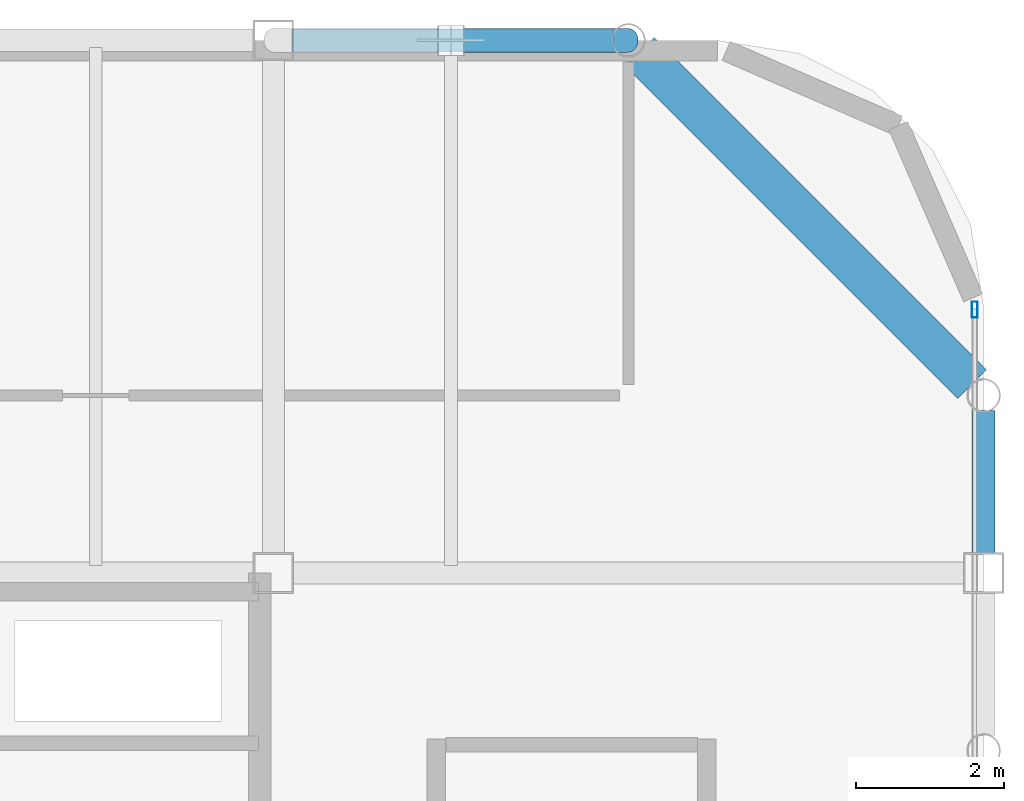
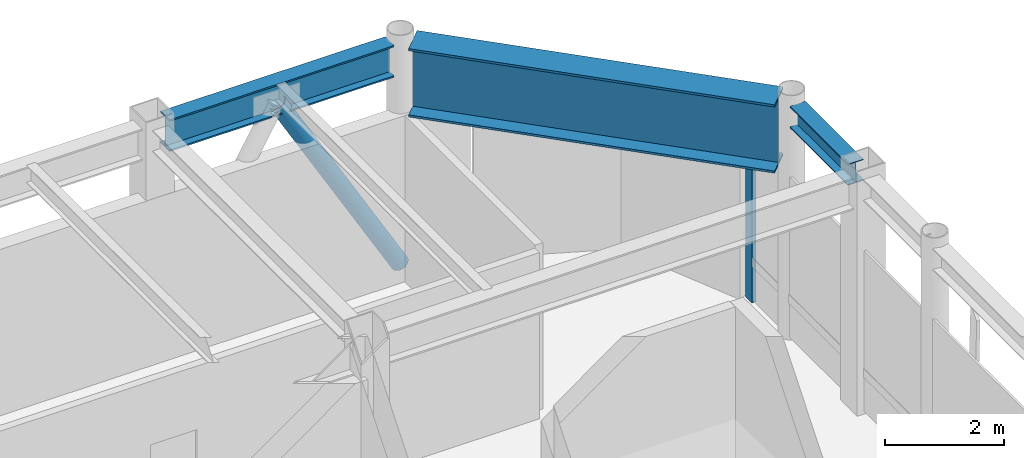
# One storey, part 15 of 21: 3 beams, 2 members, 1 element without a shape of its own.
"""IFC4 building model written with IfcOpenShell, lengths in metres."""

from ifc_helpers import new_model, si_unit, direction, frame, origin, origin_2d, place, context, subcontext, project, spatial, hollow_rectangle, hollow_circle, i_section, extrude, material, layer, layer_set, material_profile, profile_set, type_object, element, aggregate, save


model = new_model("IFC4")

# Units and contexts
model_context = context("Model", 3, precision=1e-05, world=origin(), true_north=direction((0.0, 1.0)))
body_context = subcontext(model_context, "Body", "Model", "MODEL_VIEW")
ifc_project = project(units=[si_unit("LENGTHUNIT", "METRE"), si_unit("AREAUNIT", "SQUARE_METRE"), si_unit("VOLUMEUNIT", "CUBIC_METRE"), si_unit("PLANEANGLEUNIT", "RADIAN"), si_unit("MASSUNIT", "GRAM", prefix="KILO")], contexts=[model_context])

# Site, building, storey
site_placement = place(None, origin())
site = spatial("IfcSite", under=ifc_project, at=site_placement, CompositionType="ELEMENT")
building_placement = place(site_placement, origin())
building = spatial("IfcBuilding", under=site, at=building_placement, Name="Kallvorn Hotel Tower", CompositionType="ELEMENT")
storey_placement = place(building_placement, frame((0.0, 0.0, 290.60009765625)))
storey = spatial("IfcBuildingStorey", under=building, at=storey_placement, Name="L72", CompositionType="ELEMENT", Elevation=290.60009765625)

# Beams
ifc_material_1 = material(Name="Structural steel S355JR", Category="steel")
ifc_material_profile_1 = material_profile(ifc_material_1, i_section(OverallWidth=0.300048828125, OverallDepth=0.43994140625, WebThickness=0.011474609375, FlangeThickness=0.02099609375, at=origin_2d()), Name="HE 450 A")
ifc_profile_set_1 = profile_set([ifc_material_profile_1], Name="Structural steel S355JR")
beam_type_1 = type_object("IfcBeamType", Name="BM_HE450A", PredefinedType="BEAM", material=ifc_profile_set_1)
beam_1_placement = place(storey_placement, frame((24.0, 7.449951171875, 4.579833984375), z_axis=(0.0, 1.0, 0.0), x_axis=(-1.0, 0.0, 0.0)))
element("IfcBeam", 1, at=beam_1_placement, inside=storey, type_object=beam_type_1, Name="L73 Primary Y-Girder 53", PredefinedType="BEAM", context=body_context, shape_type="SweptSolid", body=[
    extrude(i_section(OverallWidth=0.300048828125, OverallDepth=0.43994140625, WebThickness=0.011474609375, FlangeThickness=0.02099609375, at=origin_2d()), origin(), (0.0, 0.0, 1.0), 1.946533203125),
])
ifc_material_2 = material(Name="Structural steel S355JR", Category="steel")
ifc_material_profile_2 = material_profile(ifc_material_2, i_section(OverallWidth=0.300048828125, OverallDepth=0.64990234375, WebThickness=0.01611328125, FlangeThickness=0.031005859375, at=origin_2d()), Name="HE 650 B")
ifc_profile_set_2 = profile_set([ifc_material_profile_2], Name="Structural steel S355JR")
beam_type_2 = type_object("IfcBeamType", Name="BM_HE650B", PredefinedType="BEAM", material=ifc_profile_set_2)
beam_2_placement = place(storey_placement, frame((14.64990234375, 14.39990234375, 4.474853515625), z_axis=(1.0, 0.0, 0.0), x_axis=(0.0, 1.0, 0.0)))
element("IfcBeam", 2, at=beam_2_placement, inside=storey, type_object=beam_type_2, Name="L73 Primary X-Girder 24", PredefinedType="BEAM", context=body_context, shape_type="SweptSolid", body=[
    extrude(i_section(OverallWidth=0.300048828125, OverallDepth=0.64990234375, WebThickness=0.01611328125, FlangeThickness=0.031005859375, at=origin_2d()), origin(), (0.0, 0.0, 1.0), 4.3466796875),
])
ifc_material_3 = material(Name="Structural steel S355JR", Category="steel")
ifc_material_profile_3 = material_profile(ifc_material_3, i_section(OverallWidth=0.550048828125, OverallDepth=1.39990234375, WebThickness=0.02490234375, FlangeThickness=0.044921875, at=origin_2d()), Name="PG 1400x550x25x45")
ifc_profile_set_3 = profile_set([ifc_material_profile_3], Name="Structural steel S355JR")
beam_type_3 = type_object("IfcBeamType", Name="BM_PG_1400", PredefinedType="BEAM", material=ifc_profile_set_3)
beam_3_placement = place(storey_placement, frame((23.845458984375, 9.75439453125, 4.099853515625), z_axis=(-0.707087561367, 0.707126000484, 0.0), x_axis=(-0.707126000484, -0.707087561367, 0.0)))
element("IfcBeam", 3, at=beam_3_placement, inside=storey, type_object=beam_type_3, Name="L73 Rounded Corner Tie Beam 89", PredefinedType="BEAM", context=body_context, shape_type="SweptSolid", body=[
    extrude(i_section(OverallWidth=0.550048828125, OverallDepth=1.39990234375, WebThickness=0.02490234375, FlangeThickness=0.044921875, at=origin_2d()), origin(), (0.0, 0.0, 1.0), 6.351318359375),
])

# Curtain wall, member
ifc_material_4 = material(Name="Thermally broken black-anodised aluminium AA 6063-T6", Category="aluminium")
ifc_layer = layer(ifc_material_4, 0.25)
ifc_layer_set = layer_set([ifc_layer], Name="CW_SYS_6_SUMMIT_OBS")
curtain_wall_type = type_object("IfcCurtainWallType", Name="CW_SYS_6_SUMMIT_OBS", PredefinedType="USERDEFINED", material=ifc_layer_set)
curtain_wall_placement = place(storey_placement, origin())
curtain_wall = element("IfcCurtainWall", 4, at=curtain_wall_placement, inside=storey, type_object=curtain_wall_type, Name="L72 Dark-Glass Curtain Wall CW-L72-EN", ObjectType="UNITISED CURTAIN WALL", PredefinedType="USERDEFINED")
ifc_material_5 = material(Name="Thermally broken black-anodised aluminium AA 6063-T6", Category="aluminium")
ifc_material_profile_4 = material_profile(ifc_material_5, hollow_rectangle(XDim=0.080078125, YDim=0.219970703125, WallThickness=0.0048828125, at=origin_2d()), Name="MUL 220x80")
ifc_profile_set_4 = profile_set([ifc_material_profile_4], Name="Thermally broken black-anodised aluminium AA 6063-T6")
member_type_1 = type_object("IfcMemberType", Name="CW_MULLION_220x80", PredefinedType="MULLION", material=ifc_profile_set_4)
member_1_placement = place(storey_placement, frame((23.8798828125, 10.760009765625, 0.02001953125), z_axis=(0.0, 0.0, 1.0), x_axis=(1.0, 0.0, 0.0)))
member_1 = element("IfcMember", 5, at=member_1_placement, type_object=member_type_1, Name="CW-L72-EN Mullion 01", PredefinedType="MULLION", context=body_context, shape_type="SweptSolid", body=[
    extrude(hollow_rectangle(XDim=0.080078125, YDim=0.219970703125, WallThickness=0.0048828125, at=origin_2d()), origin(), (0.0, 0.0, 1.0), 3.35986328125),
])
aggregate(curtain_wall, [member_1])

# Member
ifc_material_6 = material(Name="Structural steel S355J2H", Category="steel")
ifc_material_profile_5 = material_profile(ifc_material_6, hollow_circle(Radius=0.161865234375, WallThickness=0.012451171875, at=origin_2d()), Name="CHS 323.9x12.5")
ifc_profile_set_5 = profile_set([ifc_material_profile_5], Name="Structural steel S355J2H")
member_type_2 = type_object("IfcMemberType", Name="MBR_EXO_CHS323", PredefinedType="BRACE", material=ifc_profile_set_5)
member_2_placement = place(storey_placement, frame((19.18994140625, 14.39990234375, 0.197265625), z_axis=(-0.499712098434, 0.0, 0.866191560037), x_axis=(0.0, -1.0, 0.0)))
element("IfcMember", 6, at=member_2_placement, inside=storey, type_object=member_type_2, Name="L72 Exoskeleton K-Brace N2B", PredefinedType="BRACE", context=body_context, shape_type="SweptSolid", body=[
    extrude(hollow_circle(Radius=0.161865234375, WallThickness=0.012451171875, at=origin_2d()), origin(), (0.0, 0.0, 1.0), 4.762451171875),
])

save(model, "model.ifc")
